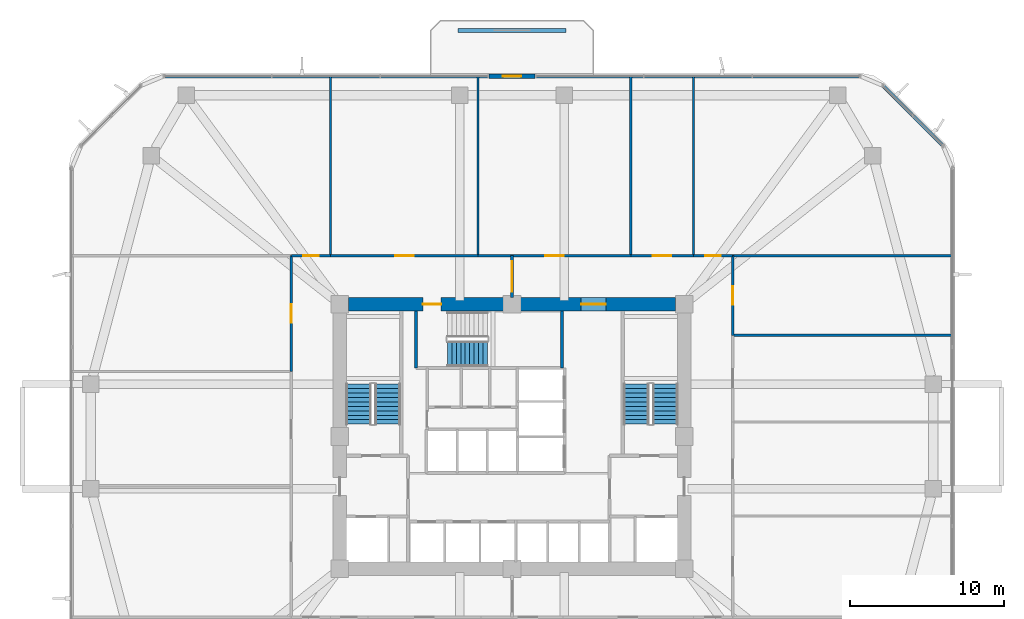
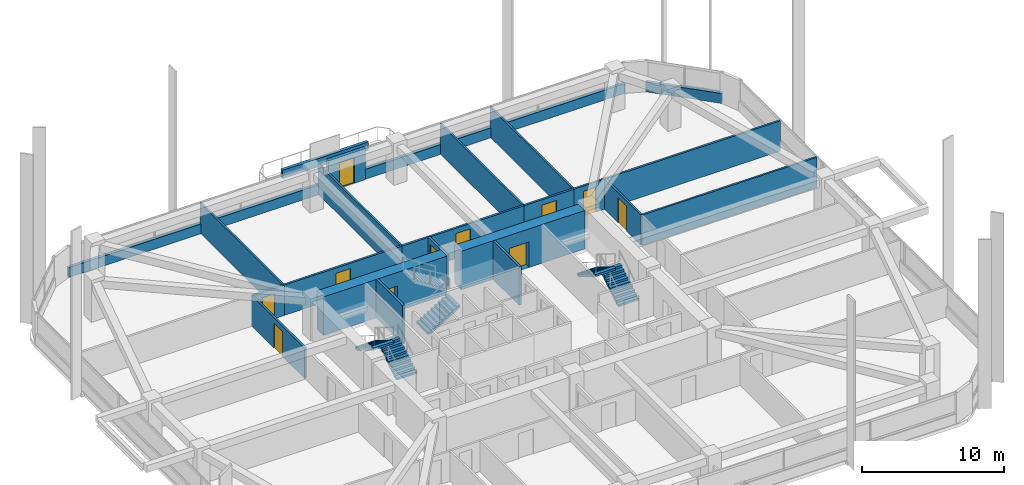
# One storey, part 11 of 17: 23 walls, 11 doors, 5 stair flights, 11 openings, 3 elements without a shape of their own.
"""IFC4 building model written with IfcOpenShell, lengths in metres."""

from ifc_helpers import new_model, si_unit, derived_unit, direction, frame, frame_2d, origin, place, context, subcontext, project, spatial, polyline, rectangle, outline, extrude, material, layer, layer_set, type_object, element, fill, aggregate, save


model = new_model("IFC4")

# Units and contexts
model_context = context("Model", 3, precision=1e-05, world=origin(), true_north=direction((0.0, 1.0)))
body_context = subcontext(model_context, "Body", "Model", "MODEL_VIEW")
ifc_project = project(units=[si_unit("LENGTHUNIT", "METRE"), si_unit("AREAUNIT", "SQUARE_METRE"), si_unit("VOLUMEUNIT", "CUBIC_METRE"), si_unit("PLANEANGLEUNIT", "RADIAN"), si_unit("MASSUNIT", "GRAM", prefix="KILO"), derived_unit("THERMALTRANSMITTANCEUNIT", [(si_unit("POWERUNIT", "WATT"), 1), (si_unit("LENGTHUNIT", "METRE"), -2), (si_unit("THERMODYNAMICTEMPERATUREUNIT", "KELVIN"), -1)])], contexts=[model_context])

# Site, building, storey
site_placement = place(None, origin())
site = spatial("IfcSite", under=ifc_project, at=site_placement, CompositionType="ELEMENT")
building_placement = place(site_placement, origin())
building = spatial("IfcBuilding", under=site, at=building_placement, Name="Koralith Skygarden Medical Center", CompositionType="ELEMENT")
storey_placement = place(building_placement, frame((0.0, 0.0, 23.93994140625)))
storey = spatial("IfcBuildingStorey", under=building, at=storey_placement, Name="L05", CompositionType="ELEMENT", Elevation=23.93994140625)

# Walls
ifc_material_1 = material(Name="Gypsum Board Partition")
ifc_layer_1 = layer(ifc_material_1, 0.14990234375)
ifc_layer_set_1 = layer_set([ifc_layer_1], Name="Gypsum Board Partition")
wall_type_1 = type_object("IfcWallType", Name="Clinical Acoustic Partition 150", PredefinedType="PARTITIONING", material=ifc_layer_set_1)
for number, where, z_axis, x_axis, name in (
    (1, (25.199951171875, 37.64990234375, 0.0), (0.0, 0.0, 1.0), (0.0, 1.0, 0.0), "L05 Clinical Acoustic Partition 150 W-PART-L05-N-01"),
    (2, (34.7939453125, 37.64990234375, 0.0), (0.0, 0.0, 1.0), (0.0, 1.0, 0.0), "L05 Clinical Acoustic Partition 150 W-PART-L05-N-02"),
    (3, (44.721923828125, 37.64990234375, 0.0), (0.0, 0.0, 1.0), (0.0, 1.0, 0.0), "L05 Clinical Acoustic Partition 150 W-PART-L05-N-03"),
    (4, (48.800048828125, 37.64990234375, 0.0), (0.0, 0.0, 1.0), (0.0, 1.0, 0.0), "L05 Clinical Acoustic Partition 150 W-PART-L05-N-04"),
):
    element("IfcWall", number, at=place(storey_placement, frame(where, z_axis=z_axis, x_axis=x_axis)), inside=storey, type_object=wall_type_1, Name=name, PredefinedType="PARTITIONING", context=body_context, shape_type="SweptSolid", body=[
        extrude(rectangle(XDim=11.650146484375, YDim=0.14990234375, at=frame_2d((5.8251953125, 0.0))), origin(), (0.0, 0.0, 1.0), 2.610107421875),
    ])
wall_1_placement = place(storey_placement, frame((51.35009765625, 32.47998046875, 0.0), z_axis=(0.0, 0.0, 1.0), x_axis=(1.0, 0.0, 0.0)))
element("IfcWall", 5, at=wall_1_placement, inside=storey, type_object=wall_type_1, Name="L05 Clinical Acoustic Partition 150 W-PART-L05-E-03", PredefinedType="PARTITIONING", context=body_context, shape_type="SweptSolid", body=[
    extrude(rectangle(XDim=14.25, YDim=0.14990234375, at=frame_2d((7.125, 0.0))), origin(), (0.0, 0.0, 1.0), 2.610107421875),
])
ifc_layer_2 = layer(ifc_material_1, 0.1650390625)
ifc_layer_set_2 = layer_set([ifc_layer_2], Name="Gypsum Board Partition")
wall_type_2 = type_object("IfcWallType", Name="Clinical Corridor Partition 165", PredefinedType="PARTITIONING", material=ifc_layer_set_2)
wall_2_placement = place(storey_placement, frame((51.35009765625, 37.64990234375, 0.0), z_axis=(0.0, 0.0, 1.0), x_axis=(1.0, 0.0, 0.0)))
element("IfcWall", 6, at=wall_2_placement, inside=storey, type_object=wall_type_2, Name="L05 Clinical Corridor Partition 165 W-WB-L05-NE", PredefinedType="PARTITIONING", context=body_context, shape_type="SweptSolid", body=[
    extrude(rectangle(XDim=14.25, YDim=0.1650390625, at=frame_2d((7.125, 0.0))), origin(), (0.0, 0.0, 1.0), 2.610107421875),
])

# Wall, opening, door
wall_3_placement = place(storey_placement, frame((22.64990234375, 37.64990234375, 0.0), z_axis=(0.0, 0.0, 1.0), x_axis=(1.0, 0.0, 0.0)))
wall_3 = element("IfcWall", 7, at=wall_3_placement, inside=storey, type_object=wall_type_2, Name="L05 Clinical Corridor Partition 165 W-CORR-L05-N-01", PredefinedType="PARTITIONING", context=body_context, shape_type="SweptSolid", body=[
    extrude(rectangle(XDim=2.550048828125, YDim=0.1650390625, at=frame_2d((1.27490234375, 0.0))), origin(), (0.0, 0.0, 1.0), 2.610107421875),
])
opening_1_placement = place(wall_3_placement, frame((0.77490234375, 0.0, 0.0)))
opening_1 = element("IfcOpeningElement", 8, at=opening_1_placement, cuts=wall_3, Name="Opening D-SUP", PredefinedType="OPENING", context=body_context, shape_type="SweptSolid", body=[
    extrude(rectangle(XDim=1.0, YDim=2.14990234375, at=frame_2d((0.5, 1.074951171875))), frame((0.0, 0.092529296875, 0.0), z_axis=(0.0, -1.0, 0.0), x_axis=(1.0, 0.0, 0.0)), (0.0, 0.0, 1.0), 0.18505859375),
])
ifc_material_2 = material(Name="Aluminium 6063-T6", Category="aluminium")
door_type_1 = type_object("IfcDoorType", Name="Clinical Support Door D-SUP 1000", OperationType="NOTDEFINED", PredefinedType="DOOR", material=ifc_material_2)
door_1_placement = place(opening_1_placement, origin())
door_1 = element("IfcDoor", 9, at=door_1_placement, inside=storey, type_object=door_type_1, Name="L05 Decentralized Nurse Charting Station 01 Door", OperationType="SINGLE_SWING_RIGHT", OverallHeight=2.14990234375, OverallWidth=1.0, PredefinedType="DOOR", context=body_context, shape_type="SweptSolid", body=[
    extrude(rectangle(XDim=1.0, YDim=2.14990234375, at=frame_2d((0.5, 1.074951171875))), frame((0.0, 0.02490234375, 0.0), z_axis=(0.0, -1.0, 0.0), x_axis=(1.0, 0.0, 0.0)), (0.0, 0.0, 1.0), 0.050048828125),
])
fill(opening_1, door_1)

wall_4_placement = place(storey_placement, frame((25.199951171875, 37.64990234375, 0.0), z_axis=(0.0, 0.0, 1.0), x_axis=(1.0, 0.0, 0.0)))
wall_4 = element("IfcWall", 10, at=wall_4_placement, inside=storey, type_object=wall_type_2, Name="L05 Clinical Corridor Partition 165 W-CORR-L05-N-02", PredefinedType="PARTITIONING", context=body_context, shape_type="SweptSolid", body=[
    extrude(rectangle(XDim=9.593994140625, YDim=0.1650390625, at=frame_2d((4.796875, 0.0))), origin(), (0.0, 0.0, 1.0), 2.610107421875),
])
opening_2_placement = place(wall_4_placement, frame((4.197021484375, 0.0, 0.0)))
opening_2 = element("IfcOpeningElement", 11, at=opening_2_placement, cuts=wall_4, Name="Opening D-CLN", PredefinedType="OPENING", context=body_context, shape_type="SweptSolid", body=[
    extrude(rectangle(XDim=1.199951171875, YDim=2.14990234375, at=frame_2d((0.60009765625, 1.074951171875))), frame((0.0, 0.092529296875, 0.0), z_axis=(0.0, -1.0, 0.0), x_axis=(1.0, 0.0, 0.0)), (0.0, 0.0, 1.0), 0.18505859375),
])
door_type_2 = type_object("IfcDoorType", Name="Clinical Corridor Door D-CLN 1200", OperationType="NOTDEFINED", PredefinedType="DOOR", material=ifc_material_2)
door_2_placement = place(opening_2_placement, origin())
door_2 = element("IfcDoor", 12, at=door_2_placement, inside=storey, type_object=door_type_2, Name="L05 Clinical Examination Room 02 Door", OperationType="SINGLE_SWING_LEFT", OverallHeight=2.14990234375, OverallWidth=1.199951171875, PredefinedType="DOOR", context=body_context, shape_type="SweptSolid", body=[
    extrude(rectangle(XDim=1.199951171875, YDim=2.14990234375, at=frame_2d((0.60009765625, 1.074951171875))), frame((0.0, 0.02490234375, 0.0), z_axis=(0.0, -1.0, 0.0), x_axis=(1.0, 0.0, 0.0)), (0.0, 0.0, 1.0), 0.050048828125),
])
fill(opening_2, door_2)

wall_5_placement = place(storey_placement, frame((34.7939453125, 37.64990234375, 0.0), z_axis=(0.0, 0.0, 1.0), x_axis=(1.0, 0.0, 0.0)))
wall_5 = element("IfcWall", 13, at=wall_5_placement, inside=storey, type_object=wall_type_2, Name="L05 Clinical Corridor Partition 165 W-CORR-L05-N-03", PredefinedType="PARTITIONING", context=body_context, shape_type="SweptSolid", body=[
    extrude(rectangle(XDim=9.927978515625, YDim=0.1650390625, at=frame_2d((4.9638671875, 0.0))), origin(), (0.0, 0.0, 1.0), 2.610107421875),
])
opening_3_placement = place(wall_5_placement, frame((4.364013671875, 0.0, 0.0)))
opening_3 = element("IfcOpeningElement", 14, at=opening_3_placement, cuts=wall_5, Name="Opening D-CLN", PredefinedType="OPENING", context=body_context, shape_type="SweptSolid", body=[
    extrude(rectangle(XDim=1.199951171875, YDim=2.14990234375, at=frame_2d((0.60009765625, 1.074951171875))), frame((0.0, 0.092529296875, 0.0), z_axis=(0.0, -1.0, 0.0), x_axis=(1.0, 0.0, 0.0)), (0.0, 0.0, 1.0), 0.18505859375),
])
door_3_placement = place(opening_3_placement, origin())
door_3 = element("IfcDoor", 15, at=door_3_placement, inside=storey, type_object=door_type_2, Name="L05 Patient and Family Sky-Garden Day Lounge 03 Door", OperationType="SINGLE_SWING_RIGHT", OverallHeight=2.14990234375, OverallWidth=1.199951171875, PredefinedType="DOOR", context=body_context, shape_type="SweptSolid", body=[
    extrude(rectangle(XDim=1.199951171875, YDim=2.14990234375, at=frame_2d((0.60009765625, 1.074951171875))), frame((0.0, 0.02490234375, 0.0), z_axis=(0.0, -1.0, 0.0), x_axis=(1.0, 0.0, 0.0)), (0.0, 0.0, 1.0), 0.050048828125),
])
fill(opening_3, door_3)

wall_6_placement = place(storey_placement, frame((44.721923828125, 37.64990234375, 0.0), z_axis=(0.0, 0.0, 1.0), x_axis=(1.0, 0.0, 0.0)))
wall_6 = element("IfcWall", 16, at=wall_6_placement, inside=storey, type_object=wall_type_2, Name="L05 Clinical Corridor Partition 165 W-CORR-L05-N-04", PredefinedType="PARTITIONING", context=body_context, shape_type="SweptSolid", body=[
    extrude(rectangle(XDim=4.078125, YDim=0.1650390625, at=frame_2d((2.0390625, 0.0))), origin(), (0.0, 0.0, 1.0), 2.610107421875),
])
opening_4_placement = place(wall_6_placement, frame((1.43896484375, 0.0, 0.0)))
opening_4 = element("IfcOpeningElement", 17, at=opening_4_placement, cuts=wall_6, Name="Opening D-CLN", PredefinedType="OPENING", context=body_context, shape_type="SweptSolid", body=[
    extrude(rectangle(XDim=1.199951171875, YDim=2.14990234375, at=frame_2d((0.60009765625, 1.074951171875))), frame((0.0, 0.092529296875, 0.0), z_axis=(0.0, -1.0, 0.0), x_axis=(1.0, 0.0, 0.0)), (0.0, 0.0, 1.0), 0.18505859375),
])
door_4_placement = place(opening_4_placement, origin())
door_4 = element("IfcDoor", 18, at=door_4_placement, inside=storey, type_object=door_type_2, Name="L05 Attending Physician Consultation Office 04 Door", OperationType="SINGLE_SWING_LEFT", OverallHeight=2.14990234375, OverallWidth=1.199951171875, PredefinedType="DOOR", context=body_context, shape_type="SweptSolid", body=[
    extrude(rectangle(XDim=1.199951171875, YDim=2.14990234375, at=frame_2d((0.60009765625, 1.074951171875))), frame((0.0, 0.02490234375, 0.0), z_axis=(0.0, -1.0, 0.0), x_axis=(1.0, 0.0, 0.0)), (0.0, 0.0, 1.0), 0.050048828125),
])
fill(opening_4, door_4)

wall_7_placement = place(storey_placement, frame((48.800048828125, 37.64990234375, 0.0), z_axis=(0.0, 0.0, 1.0), x_axis=(1.0, 0.0, 0.0)))
wall_7 = element("IfcWall", 19, at=wall_7_placement, inside=storey, type_object=wall_type_2, Name="L05 Clinical Corridor Partition 165 W-CORR-L05-N-05", PredefinedType="PARTITIONING", context=body_context, shape_type="SweptSolid", body=[
    extrude(rectangle(XDim=2.550048828125, YDim=0.1650390625, at=frame_2d((1.27490234375, 0.0))), origin(), (0.0, 0.0, 1.0), 2.610107421875),
])
opening_5_placement = place(wall_7_placement, frame((0.77490234375, 0.0, 0.0)))
opening_5 = element("IfcOpeningElement", 20, at=opening_5_placement, cuts=wall_7, Name="Opening D-SUP", PredefinedType="OPENING", context=body_context, shape_type="SweptSolid", body=[
    extrude(rectangle(XDim=1.0, YDim=2.14990234375, at=frame_2d((0.5, 1.074951171875))), frame((0.0, 0.092529296875, 0.0), z_axis=(0.0, -1.0, 0.0), x_axis=(1.0, 0.0, 0.0)), (0.0, 0.0, 1.0), 0.18505859375),
])
door_5_placement = place(opening_5_placement, origin())
door_5 = element("IfcDoor", 21, at=door_5_placement, inside=storey, type_object=door_type_1, Name="L05 Clinical Consultation Office 05 Door", OperationType="SINGLE_SWING_RIGHT", OverallHeight=2.14990234375, OverallWidth=1.0, PredefinedType="DOOR", context=body_context, shape_type="SweptSolid", body=[
    extrude(rectangle(XDim=1.0, YDim=2.14990234375, at=frame_2d((0.5, 1.074951171875))), frame((0.0, 0.02490234375, 0.0), z_axis=(0.0, -1.0, 0.0), x_axis=(1.0, 0.0, 0.0)), (0.0, 0.0, 1.0), 0.050048828125),
])
fill(opening_5, door_5)

wall_8_placement = place(storey_placement, frame((22.64990234375, 30.1298828125, 0.0), z_axis=(0.0, 0.0, 1.0), x_axis=(0.0, 1.0, 0.0)))
wall_8 = element("IfcWall", 22, at=wall_8_placement, inside=storey, type_object=wall_type_2, Name="L05 Clinical Corridor Partition 165 W-CORR-L05-W-03", PredefinedType="PARTITIONING", context=body_context, shape_type="SweptSolid", body=[
    extrude(rectangle(XDim=7.52001953125, YDim=0.1650390625, at=frame_2d((3.760009765625, 0.0))), origin(), (0.0, 0.0, 1.0), 2.610107421875),
])
opening_6_placement = place(wall_8_placement, frame((3.159912109375, 0.0, 0.0)))
opening_6 = element("IfcOpeningElement", 23, at=opening_6_placement, cuts=wall_8, Name="Opening D-CLN", PredefinedType="OPENING", context=body_context, shape_type="SweptSolid", body=[
    extrude(rectangle(XDim=1.199951171875, YDim=2.14990234375, at=frame_2d((0.60009765625, 1.074951171875))), frame((0.0, 0.092529296875, 0.0), z_axis=(0.0, -1.0, 0.0), x_axis=(1.0, 0.0, 0.0)), (0.0, 0.0, 1.0), 0.18505859375),
])
door_6_placement = place(opening_6_placement, frame((1.199951171875, 0.0, 0.0), z_axis=(0.0, 0.0, 1.0), x_axis=(-1.0, 0.0, 0.0)))
door_6 = element("IfcDoor", 24, at=door_6_placement, inside=storey, type_object=door_type_2, Name="L05 Clinical Consultation Office 14 Door", OperationType="SINGLE_SWING_LEFT", OverallHeight=2.14990234375, OverallWidth=1.199951171875, PredefinedType="DOOR", context=body_context, shape_type="SweptSolid", body=[
    extrude(rectangle(XDim=1.199951171875, YDim=2.14990234375, at=frame_2d((0.60009765625, 1.074951171875))), frame((0.0, 0.02490234375, 0.0), z_axis=(0.0, -1.0, 0.0), x_axis=(1.0, 0.0, 0.0)), (0.0, 0.0, 1.0), 0.050048828125),
])
fill(opening_6, door_6)

wall_9_placement = place(storey_placement, frame((51.35009765625, 32.47998046875, 0.0), z_axis=(0.0, 0.0, 1.0), x_axis=(0.0, 1.0, 0.0)))
wall_9 = element("IfcWall", 25, at=wall_9_placement, inside=storey, type_object=wall_type_2, Name="L05 Clinical Corridor Partition 165 W-CORR-L05-E-04", PredefinedType="PARTITIONING", context=body_context, shape_type="SweptSolid", body=[
    extrude(rectangle(XDim=5.169921875, YDim=0.1650390625, at=frame_2d((2.5849609375, 0.0))), origin(), (0.0, 0.0, 1.0), 2.610107421875),
])
opening_7_placement = place(wall_9_placement, frame((1.985107421875, 0.0, 0.0)))
opening_7 = element("IfcOpeningElement", 26, at=opening_7_placement, cuts=wall_9, Name="Opening D-CLN", PredefinedType="OPENING", context=body_context, shape_type="SweptSolid", body=[
    extrude(rectangle(XDim=1.199951171875, YDim=2.14990234375, at=frame_2d((0.60009765625, 1.074951171875))), frame((0.0, 0.092529296875, 0.0), z_axis=(0.0, -1.0, 0.0), x_axis=(1.0, 0.0, 0.0)), (0.0, 0.0, 1.0), 0.18505859375),
])
door_7_placement = place(opening_7_placement, origin())
door_7 = element("IfcDoor", 27, at=door_7_placement, inside=storey, type_object=door_type_2, Name="L05 Clinical Consultation Office 18 Door", OperationType="SINGLE_SWING_LEFT", OverallHeight=2.14990234375, OverallWidth=1.199951171875, PredefinedType="DOOR", context=body_context, shape_type="SweptSolid", body=[
    extrude(rectangle(XDim=1.199951171875, YDim=2.14990234375, at=frame_2d((0.60009765625, 1.074951171875))), frame((0.0, 0.02490234375, 0.0), z_axis=(0.0, -1.0, 0.0), x_axis=(1.0, 0.0, 0.0)), (0.0, 0.0, 1.0), 0.050048828125),
])
fill(opening_7, door_7)

ifc_layer_3 = layer(ifc_material_1, 0.179931640625)
ifc_layer_set_3 = layer_set([ifc_layer_3], Name="Gypsum Board Partition")
wall_type_3 = type_object("IfcWallType", Name="Group I-2 Smoke Barrier Wall 180", PredefinedType="PARTITIONING", material=ifc_layer_set_3)
wall_10_placement = place(storey_placement, frame((37.0, 34.949951171875, 0.0), z_axis=(0.0, 0.0, 1.0), x_axis=(0.0, 1.0, 0.0)))
wall_10 = element("IfcWall", 28, at=wall_10_placement, inside=storey, type_object=wall_type_3, Name="L05 Group I-2 Smoke Barrier Wall 180 W-SMK-L05-N", PredefinedType="PARTITIONING", context=body_context, shape_type="SweptSolid", body=[
    extrude(rectangle(XDim=2.699951171875, YDim=0.179931640625, at=frame_2d((1.35009765625, 0.0))), origin(), (0.0, 0.0, 1.0), 2.610107421875),
])
opening_8_placement = place(wall_10_placement, frame((0.35009765625, 0.0, 0.0)))
opening_8 = element("IfcOpeningElement", 29, at=opening_8_placement, cuts=wall_10, Name="Opening D-SMK", PredefinedType="OPENING", context=body_context, shape_type="SweptSolid", body=[
    extrude(rectangle(XDim=2.0, YDim=2.199951171875, at=frame_2d((1.0, 1.10009765625))), frame((0.0, 0.099853515625, 0.0), z_axis=(0.0, -1.0, 0.0), x_axis=(1.0, 0.0, 0.0)), (0.0, 0.0, 1.0), 0.199951171875),
])
ifc_material_3 = material(Name="Steel ASTM A500 Grade C", Category="steel")
door_type_3 = type_object("IfcDoorType", Name="Cross-Corridor Double Smoke Door FD60S 2000", OperationType="NOTDEFINED", PredefinedType="DOOR", material=ifc_material_3)
door_8_placement = place(opening_8_placement, origin())
door_8 = element("IfcDoor", 30, at=door_8_placement, inside=storey, type_object=door_type_3, Name="L05 N Smoke Compartment Cross-Corridor Door", OperationType="DOUBLE_DOOR_SINGLE_SWING", OverallHeight=2.199951171875, OverallWidth=2.0, PredefinedType="DOOR", context=body_context, shape_type="SweptSolid", body=[
    extrude(rectangle(XDim=2.0, YDim=2.199951171875, at=frame_2d((1.0, 1.10009765625))), frame((0.0, 0.02490234375, 0.0), z_axis=(0.0, -1.0, 0.0), x_axis=(1.0, 0.0, 0.0)), (0.0, 0.0, 1.0), 0.050048828125),
])
fill(opening_8, door_8)

# Walls
ifc_material_4 = material(Name="Warm Oolitic Limestone Cladding", Category="masonry")
ifc_layer_4 = layer(ifc_material_4, 0.239990234375)
ifc_layer_set_4 = layer_set([ifc_layer_4], Name="Warm Oolitic Limestone Cladding")
wall_type_4 = type_object("IfcWallType", Name="Limestone Spandrel Sill Backup Wall 240", PredefinedType="SOLIDWALL", material=ifc_layer_set_4)
wall_11_placement = place(storey_placement, frame((65.01904296875, 44.7958984375, 0.0), z_axis=(0.0, 0.0, 1.0), x_axis=(-0.707106781187, 0.707106781187, 0.0)))
element("IfcWall", 31, at=wall_11_placement, inside=storey, type_object=wall_type_4, Name="L05 Sill Spandrel NE", PredefinedType="SOLIDWALL", context=body_context, shape_type="SweptSolid", body=[
    extrude(rectangle(XDim=5.548095703125, YDim=0.239990234375, at=frame_2d((2.77392578125, 0.0))), origin(), (0.0, 0.0, 1.0), 0.85009765625),
])
for number, where, z_axis, x_axis, name in (
    (32, (59.64501953125, 49.320068359375, 0.0), (0.0, 0.0, 1.0), (-1.0, 0.0, 0.0), "L05 Sill Spandrel N-L"),
    (33, (35.4599609375, 49.320068359375, 0.0), (0.0, 0.0, 1.0), (-1.0, 0.0, 0.0), "L05 Sill Spandrel N-R"),
):
    element("IfcWall", number, at=place(storey_placement, frame(where, z_axis=z_axis, x_axis=x_axis)), inside=storey, type_object=wall_type_4, Name=name, PredefinedType="SOLIDWALL", context=body_context, shape_type="SweptSolid", body=[
        extrude(rectangle(XDim=21.10498046875, YDim=0.239990234375, at=frame_2d((10.552490234375, 0.0))), origin(), (0.0, 0.0, 1.0), 0.85009765625),
    ])

# Wall, opening, door
ifc_material_5 = material(Name="Concrete C70/85", Category="concrete")
ifc_layer_5 = layer(ifc_material_5, 0.89990234375)
ifc_layer_set_5 = layer_set([ifc_layer_5], Name="Concrete C70/85")
wall_type_5 = type_object("IfcWallType", Name="Lower Core Shear Wall 900", PredefinedType="SHEAR", material=ifc_layer_set_5)
wall_12_placement = place(storey_placement, frame((47.635009765625, 34.5, 0.0), z_axis=(0.0, 0.0, 1.0), x_axis=(-1.0, 0.0, 0.0)))
wall_12 = element("IfcWall", 34, at=wall_12_placement, inside=storey, type_object=wall_type_5, Name="L05 Core Shear Wall Segment 5", PredefinedType="SHEAR", context=body_context, shape_type="SweptSolid", body=[
    extrude(rectangle(XDim=10.070068359375, YDim=0.89990234375, at=frame_2d((5.03515625, 0.0))), origin(), (0.0, 0.0, 1.0), 3.320068359375),
])
opening_9_placement = place(wall_12_placement, frame((4.534912109375, 0.0, 0.0)))
opening_9 = element("IfcOpeningElement", 35, at=opening_9_placement, cuts=wall_12, Name="Opening D-DBL", PredefinedType="OPENING", context=body_context, shape_type="SweptSolid", body=[
    extrude(rectangle(XDim=1.60009765625, YDim=2.199951171875, at=frame_2d((0.800048828125, 1.10009765625))), frame((0.0, 0.4599609375, 0.0), z_axis=(0.0, -1.0, 0.0), x_axis=(1.0, 0.0, 0.0)), (0.0, 0.0, 1.0), 0.919921875),
])
door_type_4 = type_object("IfcDoorType", Name="Double Clinical Suite Door D-DBL 1600", OperationType="NOTDEFINED", PredefinedType="DOOR", material=ifc_material_2)
door_9_placement = place(opening_9_placement, frame((1.60009765625, 0.0, 0.0), z_axis=(0.0, 0.0, 1.0), x_axis=(-1.0, 0.0, 0.0)))
door_9 = element("IfcDoor", 36, at=door_9_placement, inside=storey, type_object=door_type_4, Name="L05 North-East Corridor to Elevator Lobby Door", OperationType="DOUBLE_DOOR_SINGLE_SWING", OverallHeight=2.199951171875, OverallWidth=1.60009765625, PredefinedType="DOOR", context=body_context, shape_type="SweptSolid", body=[
    extrude(rectangle(XDim=1.60009765625, YDim=2.199951171875, at=frame_2d((0.800048828125, 1.10009765625))), frame((0.0, 0.02490234375, 0.0), z_axis=(0.0, -1.0, 0.0), x_axis=(1.0, 0.0, 0.0)), (0.0, 0.0, 1.0), 0.050048828125),
])
fill(opening_9, door_9)

wall_13_placement = place(storey_placement, frame((36.43505859375, 34.5, 0.0), z_axis=(0.0, 0.0, 1.0), x_axis=(-1.0, 0.0, 0.0)))
wall_13 = element("IfcWall", 37, at=wall_13_placement, inside=storey, type_object=wall_type_5, Name="L05 Core Shear Wall Segment 6", PredefinedType="SHEAR", context=body_context, shape_type="SweptSolid", body=[
    extrude(rectangle(XDim=10.070068359375, YDim=0.89990234375, at=frame_2d((5.03515625, 0.0))), origin(), (0.0, 0.0, 1.0), 3.320068359375),
])
opening_10_placement = place(wall_13_placement, frame((4.034912109375, 0.0, 0.0)))
opening_10 = element("IfcOpeningElement", 38, at=opening_10_placement, cuts=wall_13, Name="Opening D-ST60", PredefinedType="OPENING", context=body_context, shape_type="SweptSolid", body=[
    extrude(rectangle(XDim=1.199951171875, YDim=2.14990234375, at=frame_2d((0.60009765625, 1.074951171875))), frame((0.0, 0.4599609375, 0.0), z_axis=(0.0, -1.0, 0.0), x_axis=(1.0, 0.0, 0.0)), (0.0, 0.0, 1.0), 0.919921875),
])
door_type_5 = type_object("IfcDoorType", Name="Smokeproof Stair Fire Door FD60S 1200", OperationType="NOTDEFINED", PredefinedType="DOOR", material=ifc_material_3)
door_10_placement = place(opening_10_placement, frame((1.199951171875, 0.0, 0.0), z_axis=(0.0, 0.0, 1.0), x_axis=(-1.0, 0.0, 0.0)))
door_10 = element("IfcDoor", 39, at=door_10_placement, inside=storey, type_object=door_type_5, Name="L05 Exit Stair ST3 Fire Door", OperationType="SINGLE_SWING_LEFT", OverallHeight=2.14990234375, OverallWidth=1.199951171875, PredefinedType="DOOR", context=body_context, shape_type="SweptSolid", body=[
    extrude(rectangle(XDim=1.199951171875, YDim=2.14990234375, at=frame_2d((0.60009765625, 1.074951171875))), frame((0.0, 0.02490234375, 0.0), z_axis=(0.0, -1.0, 0.0), x_axis=(1.0, 0.0, 0.0)), (0.0, 0.0, 1.0), 0.050048828125),
])
fill(opening_10, door_10)

ifc_layer_6 = layer(ifc_material_4, 0.300048828125)
ifc_layer_set_6 = layer_set([ifc_layer_6], Name="Warm Oolitic Limestone Cladding")
wall_type_6 = type_object("IfcWallType", Name="Oolitic Limestone Insulated Facade Wall 300", PredefinedType="SOLIDWALL", material=ifc_layer_set_6)
wall_14_placement = place(storey_placement, frame((38.5, 49.320068359375, 0.0), z_axis=(0.0, 0.0, 1.0), x_axis=(-1.0, 0.0, 0.0)))
wall_14 = element("IfcWall", 40, at=wall_14_placement, inside=storey, type_object=wall_type_6, Name="L05 Terrace Portal Wall N", PredefinedType="SOLIDWALL", context=body_context, shape_type="SweptSolid", body=[
    extrude(rectangle(XDim=3.0, YDim=0.300048828125, at=frame_2d((1.5, 0.0))), origin(), (0.0, 0.0, 1.0), 2.650146484375),
])
opening_11_placement = place(wall_14_placement, frame((0.89990234375, 0.0, 0.0)))
opening_11 = element("IfcOpeningElement", 41, at=opening_11_placement, cuts=wall_14, Name="Opening D-BAL", PredefinedType="OPENING", context=body_context, shape_type="SweptSolid", body=[
    extrude(rectangle(XDim=1.199951171875, YDim=2.199951171875, at=frame_2d((0.60009765625, 1.10009765625))), frame((0.0, 0.159912109375, 0.0), z_axis=(0.0, -1.0, 0.0), x_axis=(1.0, 0.0, 0.0)), (0.0, 0.0, 1.0), 0.320068359375),
])
door_type_6 = type_object("IfcDoorType", Name="Planted Balcony Glazed Terrace Door D-BAL 1200", OperationType="NOTDEFINED", PredefinedType="DOOR", material=ifc_material_2)
door_11_placement = place(opening_11_placement, origin())
door_11 = element("IfcDoor", 42, at=door_11_placement, inside=storey, type_object=door_type_6, Name="L05 N Outdoor Terrace Access Door", OperationType="SINGLE_SWING_RIGHT", OverallHeight=2.199951171875, OverallWidth=1.199951171875, PredefinedType="DOOR", context=body_context, shape_type="SweptSolid", body=[
    extrude(rectangle(XDim=1.199951171875, YDim=2.199951171875, at=frame_2d((0.60009765625, 1.10009765625))), frame((0.0, 0.02490234375, 0.0), z_axis=(0.0, -1.0, 0.0), x_axis=(1.0, 0.0, 0.0)), (0.0, 0.0, 1.0), 0.050048828125),
])
fill(opening_11, door_11)

# Walls
ifc_material_6 = material(Name="Precast concrete C40/50", Category="concrete")
ifc_layer_7 = layer(ifc_material_6, 0.25)
ifc_layer_set_7 = layer_set([ifc_layer_7], Name="Precast concrete C40/50")
wall_type_7 = type_object("IfcWallType", Name="Structural Concrete Balcony Planter Kerb 250", PredefinedType="PARAPET", material=ifc_layer_set_7)
wall_15_placement = place(storey_placement, frame((33.5, 52.300048828125, 0.0), z_axis=(0.0, 0.0, 1.0), x_axis=(1.0, 0.0, 0.0)))
element("IfcWall", 43, at=wall_15_placement, inside=storey, type_object=wall_type_7, Name="L05 N Structural Tree PLANTER Box", PredefinedType="PARAPET", context=body_context, shape_type="SweptSolid", body=[
    extrude(rectangle(XDim=7.0, YDim=0.25, at=frame_2d((3.5, 0.0))), origin(), (0.0, 0.0, 1.0), 0.719970703125),
])
ifc_material_7 = material(Name="Concrete C45/55", Category="concrete")
ifc_layer_8 = layer(ifc_material_7, 0.199951171875)
ifc_layer_set_8 = layer_set([ifc_layer_8], Name="Concrete C45/55")
wall_type_8 = type_object("IfcWallType", Name="Structural Stair Shaft Wall 200", PredefinedType="SHEAR", material=ifc_layer_set_8)
for number, where, z_axis, x_axis, name in (
    (44, (30.75, 30.360107421875, 0.0), (0.0, 0.0, 1.0), (0.0, 1.0, 0.0), "L05 Structural Stair Shaft Wall 200 W-CORE-L05-ST3-W"),
    (45, (40.25, 30.360107421875, 0.0), (0.0, 0.0, 1.0), (0.0, 1.0, 0.0), "L05 Structural Stair Shaft Wall 200 W-CORE-L05-ST3-E"),
):
    element("IfcWall", number, at=place(storey_placement, frame(where, z_axis=z_axis, x_axis=x_axis)), inside=storey, type_object=wall_type_8, Name=name, PredefinedType="SHEAR", context=body_context, shape_type="SweptSolid", body=[
        extrude(rectangle(XDim=3.68994140625, YDim=0.199951171875, at=frame_2d((1.844970703125, 0.0))), origin(), (0.0, 0.0, 1.0), 3.320068359375),
    ])

# Stair, stair flights
stair_type = type_object("IfcStairType", Name="Core Exit Dogleg Concrete Stair", PredefinedType="HALF_TURN_STAIR", material=ifc_material_7)
stair_1_placement = place(storey_placement, origin())
stair_1 = element("IfcStair", 46, at=stair_1_placement, inside=storey, type_object=stair_type, Name="L05 Smokeproof Exit Stair ST1", PredefinedType="HALF_TURN_STAIR")
stair_flight_type = type_object("IfcStairFlightType", Name="Core Exit Concrete Stair Flight 1650", PredefinedType="STRAIGHT", material=ifc_material_7)
stair_flight_1_placement = place(storey_placement, frame((28.925048828125, 26.699951171875, 0.0), z_axis=(0.0, 0.0, 1.0), x_axis=(0.0, 1.0, 0.0)))
stair_flight_1 = element("IfcStairFlight", 47, at=stair_flight_1_placement, type_object=stair_flight_type, Name="ST1 flight 1", NumberOfRisers=10, NumberOfTreads=9, PredefinedType="STRAIGHT", RiserHeight=0.18, TreadLength=0.29, context=body_context, shape_type="SweptSolid", body=[
    extrude(outline(polyline([(0.0, 0.0), (0.0, 0.179931640625), (0.2900390625, 0.179931640625), (0.2900390625, 0.360107421875), (0.580078125, 0.360107421875), (0.580078125, 0.5400390625), (0.8701171875, 0.5400390625), (0.8701171875, 0.719970703125), (1.159912109375, 0.719970703125), (1.159912109375, 0.89990234375), (1.449951171875, 0.89990234375), (1.449951171875, 1.080078125), (1.739990234375, 1.080078125), (1.739990234375, 1.260009765625), (2.030029296875, 1.260009765625), (2.030029296875, 1.43994140625), (2.320068359375, 1.43994140625), (2.320068359375, 1.6201171875), (2.610107421875, 1.6201171875), (2.610107421875, 1.800048828125), (2.610107421875, 1.443603515625), (0.2841796875, 0.0), (0.0, 0.0)])), frame((0.0, 0.824951171875, 0.0), z_axis=(0.0, -1.0, 0.0), x_axis=(1.0, 0.0, 0.0)), (0.0, 0.0, 1.0), 1.64990234375),
])
stair_flight_2_placement = place(storey_placement, frame((27.02490234375, 29.31005859375, 1.800048828125), z_axis=(0.0, 0.0, 1.0), x_axis=(0.0, -1.0, 0.0)))
stair_flight_2 = element("IfcStairFlight", 48, at=stair_flight_2_placement, type_object=stair_flight_type, Name="ST1 flight 2", NumberOfRisers=10, NumberOfTreads=9, PredefinedType="STRAIGHT", RiserHeight=0.18, TreadLength=0.29, context=body_context, shape_type="SweptSolid", body=[
    extrude(outline(polyline([(0.0, 0.0), (0.0, 0.179931640625), (0.2900390625, 0.179931640625), (0.2900390625, 0.360107421875), (0.580078125, 0.360107421875), (0.580078125, 0.5400390625), (0.8701171875, 0.5400390625), (0.8701171875, 0.719970703125), (1.159912109375, 0.719970703125), (1.159912109375, 0.89990234375), (1.449951171875, 0.89990234375), (1.449951171875, 1.080078125), (1.739990234375, 1.080078125), (1.739990234375, 1.260009765625), (2.030029296875, 1.260009765625), (2.030029296875, 1.43994140625), (2.320068359375, 1.43994140625), (2.320068359375, 1.6201171875), (2.610107421875, 1.6201171875), (2.610107421875, 1.800048828125), (2.610107421875, 1.443603515625), (0.2841796875, 0.0), (0.0, 0.0)])), frame((0.0, 0.824951171875, 0.0), z_axis=(0.0, -1.0, 0.0), x_axis=(1.0, 0.0, 0.0)), (0.0, 0.0, 1.0), 1.64990234375),
])
aggregate(stair_1, [stair_flight_1, stair_flight_2])

stair_2_placement = place(storey_placement, origin())
stair_2 = element("IfcStair", 49, at=stair_2_placement, inside=storey, type_object=stair_type, Name="L05 Smokeproof Exit Stair ST2", PredefinedType="HALF_TURN_STAIR")
stair_flight_3_placement = place(storey_placement, frame((46.97509765625, 26.699951171875, 0.0), z_axis=(0.0, 0.0, 1.0), x_axis=(0.0, 1.0, 0.0)))
stair_flight_3 = element("IfcStairFlight", 50, at=stair_flight_3_placement, type_object=stair_flight_type, Name="ST2 flight 1", NumberOfRisers=10, NumberOfTreads=9, PredefinedType="STRAIGHT", RiserHeight=0.18, TreadLength=0.29, context=body_context, shape_type="SweptSolid", body=[
    extrude(outline(polyline([(0.0, 0.0), (0.0, 0.179931640625), (0.2900390625, 0.179931640625), (0.2900390625, 0.360107421875), (0.580078125, 0.360107421875), (0.580078125, 0.5400390625), (0.8701171875, 0.5400390625), (0.8701171875, 0.719970703125), (1.159912109375, 0.719970703125), (1.159912109375, 0.89990234375), (1.449951171875, 0.89990234375), (1.449951171875, 1.080078125), (1.739990234375, 1.080078125), (1.739990234375, 1.260009765625), (2.030029296875, 1.260009765625), (2.030029296875, 1.43994140625), (2.320068359375, 1.43994140625), (2.320068359375, 1.6201171875), (2.610107421875, 1.6201171875), (2.610107421875, 1.800048828125), (2.610107421875, 1.443603515625), (0.2841796875, 0.0), (0.0, 0.0)])), frame((0.0, 0.824951171875, 0.0), z_axis=(0.0, -1.0, 0.0), x_axis=(1.0, 0.0, 0.0)), (0.0, 0.0, 1.0), 1.64990234375),
])
stair_flight_4_placement = place(storey_placement, frame((45.074951171875, 29.31005859375, 1.800048828125), z_axis=(0.0, 0.0, 1.0), x_axis=(0.0, -1.0, 0.0)))
stair_flight_4 = element("IfcStairFlight", 51, at=stair_flight_4_placement, type_object=stair_flight_type, Name="ST2 flight 2", NumberOfRisers=10, NumberOfTreads=9, PredefinedType="STRAIGHT", RiserHeight=0.18, TreadLength=0.29, context=body_context, shape_type="SweptSolid", body=[
    extrude(outline(polyline([(0.0, 0.0), (0.0, 0.179931640625), (0.2900390625, 0.179931640625), (0.2900390625, 0.360107421875), (0.580078125, 0.360107421875), (0.580078125, 0.5400390625), (0.8701171875, 0.5400390625), (0.8701171875, 0.719970703125), (1.159912109375, 0.719970703125), (1.159912109375, 0.89990234375), (1.449951171875, 0.89990234375), (1.449951171875, 1.080078125), (1.739990234375, 1.080078125), (1.739990234375, 1.260009765625), (2.030029296875, 1.260009765625), (2.030029296875, 1.43994140625), (2.320068359375, 1.43994140625), (2.320068359375, 1.6201171875), (2.610107421875, 1.6201171875), (2.610107421875, 1.800048828125), (2.610107421875, 1.443603515625), (0.2841796875, 0.0), (0.0, 0.0)])), frame((0.0, 0.824951171875, 0.0), z_axis=(0.0, -1.0, 0.0), x_axis=(1.0, 0.0, 0.0)), (0.0, 0.0, 1.0), 1.64990234375),
])
aggregate(stair_2, [stair_flight_3, stair_flight_4])

# Stair, stair flight
stair_3_placement = place(storey_placement, origin())
stair_3 = element("IfcStair", 52, at=stair_3_placement, inside=storey, type_object=stair_type, Name="L05 Smokeproof Exit Stair ST3", PredefinedType="HALF_TURN_STAIR")
stair_flight_5_placement = place(storey_placement, frame((32.800048828125, 31.27490234375, 0.0), z_axis=(0.0, 0.0, 1.0), x_axis=(1.0, 0.0, 0.0)))
stair_flight_5 = element("IfcStairFlight", 53, at=stair_flight_5_placement, type_object=stair_flight_type, Name="ST3 flight 1", NumberOfRisers=10, NumberOfTreads=9, PredefinedType="STRAIGHT", RiserHeight=0.18, TreadLength=0.29, context=body_context, shape_type="SweptSolid", body=[
    extrude(outline(polyline([(0.0, 0.0), (0.0, 0.179931640625), (0.2900390625, 0.179931640625), (0.2900390625, 0.360107421875), (0.580078125, 0.360107421875), (0.580078125, 0.5400390625), (0.8701171875, 0.5400390625), (0.8701171875, 0.719970703125), (1.159912109375, 0.719970703125), (1.159912109375, 0.89990234375), (1.449951171875, 0.89990234375), (1.449951171875, 1.080078125), (1.739990234375, 1.080078125), (1.739990234375, 1.260009765625), (2.030029296875, 1.260009765625), (2.030029296875, 1.43994140625), (2.320068359375, 1.43994140625), (2.320068359375, 1.6201171875), (2.610107421875, 1.6201171875), (2.610107421875, 1.800048828125), (2.610107421875, 1.443603515625), (0.2841796875, 0.0), (0.0, 0.0)])), frame((0.0, 0.824951171875, 0.0), z_axis=(0.0, -1.0, 0.0), x_axis=(1.0, 0.0, 0.0)), (0.0, 0.0, 1.0), 1.64990234375),
])
aggregate(stair_3, [stair_flight_5])

save(model, "model.ifc")
